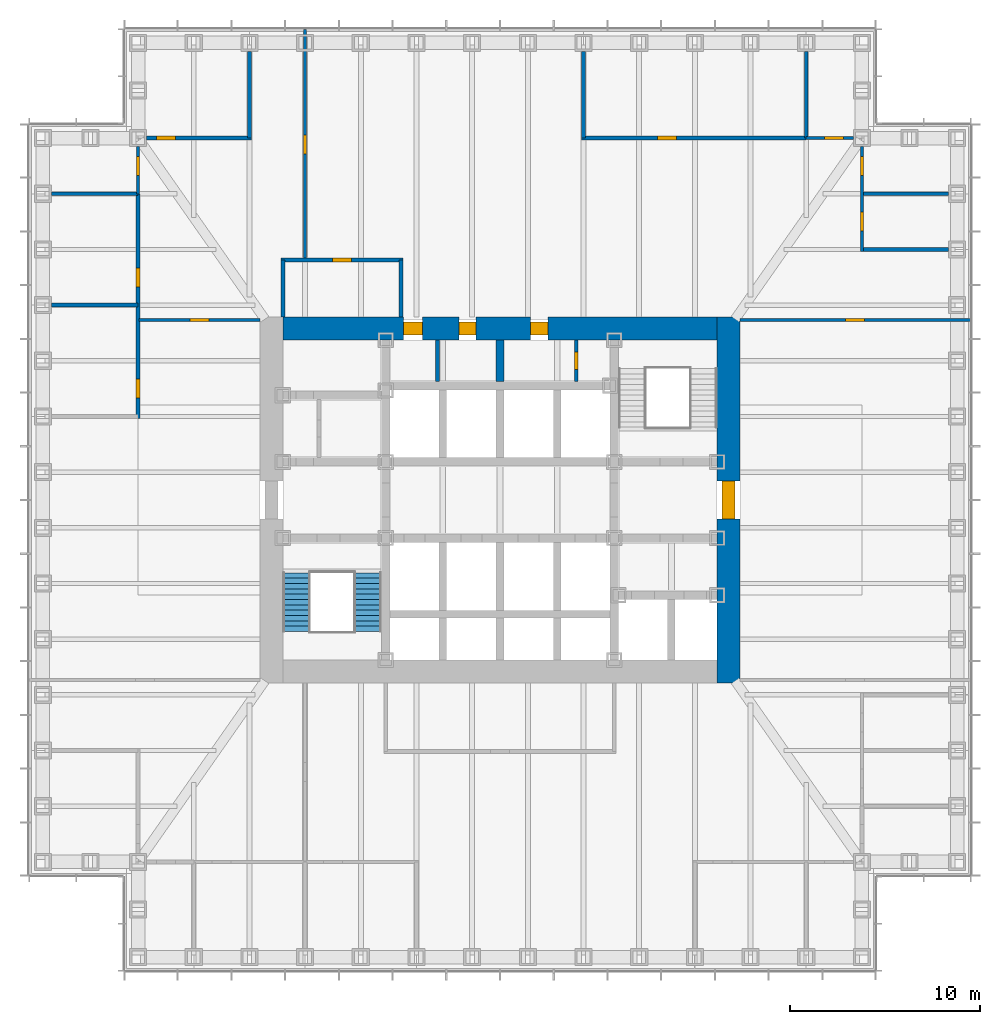
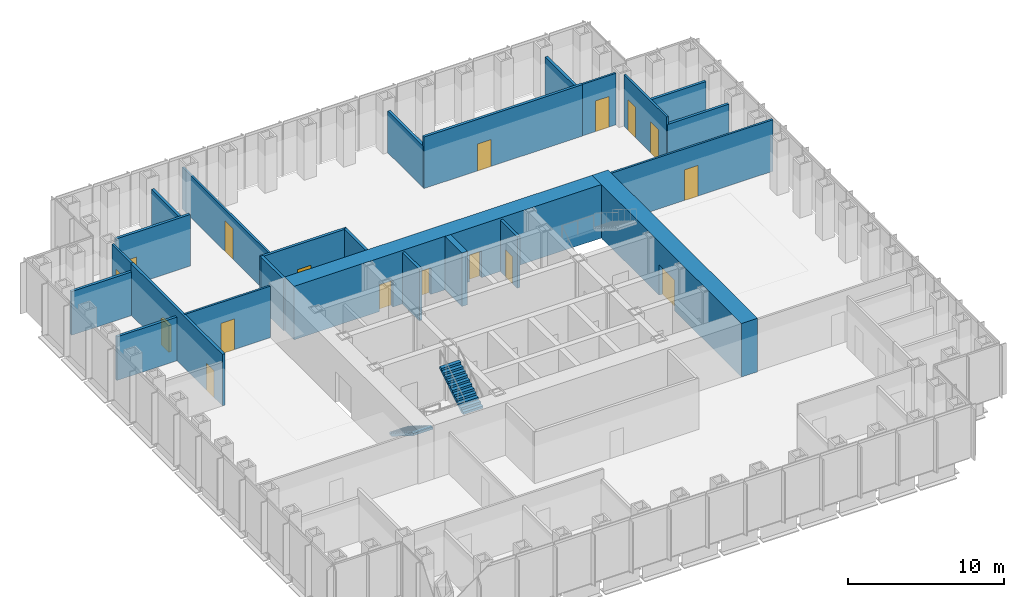
# One storey, part 10 of 17: 24 walls, 17 doors, 2 stair flights, 17 openings, 1 element without a shape of its own.
"""IFC4 building model written with IfcOpenShell, lengths in metres."""

from ifc_helpers import new_model, si_unit, direction, frame, frame_2d, origin, place, context, subcontext, project, spatial, polyline, rectangle, outline, extrude, material, layer, layer_set, type_object, element, fill, aggregate, save


model = new_model("IFC4")

# Units and contexts
model_context = context("Model", 3, precision=1e-05, world=origin(), true_north=direction((0.0, 1.0)))
body_context = subcontext(model_context, "Body", "Model", "MODEL_VIEW")
ifc_project = project(units=[si_unit("LENGTHUNIT", "METRE"), si_unit("AREAUNIT", "SQUARE_METRE"), si_unit("VOLUMEUNIT", "CUBIC_METRE"), si_unit("PLANEANGLEUNIT", "RADIAN"), si_unit("MASSUNIT", "GRAM", prefix="KILO")], contexts=[model_context])

# Site, building, storey
site_placement = place(None, origin())
site = spatial("IfcSite", under=ifc_project, at=site_placement, CompositionType="ELEMENT")
building_placement = place(site_placement, origin())
building = spatial("IfcBuilding", under=site, at=building_placement, Name="Daluyong Arena Tower", CompositionType="ELEMENT")
storey_placement = place(building_placement, frame((0.0, 0.0, 89.5)))
storey = spatial("IfcBuildingStorey", under=building, at=storey_placement, Name="L19", CompositionType="ELEMENT", Elevation=89.5)

# Wall, opening, door
ifc_material_1 = material(Name="Concrete fc' 60 MPa", Category="concrete")
ifc_layer_1 = layer(ifc_material_1, 1.199951171875)
ifc_layer_set_1 = layer_set([ifc_layer_1], Name="Concrete fc' 60 MPa")
wall_type_1 = type_object("IfcWallType", Name="Core wall 1200", PredefinedType="SHEAR", material=ifc_layer_set_1)
wall_1_placement = place(storey_placement, frame((68.0, 70.39990234375, 0.0), z_axis=(0.0, 0.0, 1.0), x_axis=(0.0, 1.0, 0.0)))
wall_1 = element("IfcWall", 1, at=wall_1_placement, inside=storey, type_object=wall_type_1, Name="core wall at L19", PredefinedType="SHEAR", context=body_context, shape_type="SweptSolid", body=[
    extrude(rectangle(XDim=19.2001953125, YDim=1.199951171875, at=frame_2d((9.60009765625, 0.0))), origin(), (0.0, 0.0, 1.0), 4.199951171875),
])
opening_1_placement = place(wall_1_placement, frame((8.60009765625, 0.0, 0.0)))
opening_1 = element("IfcOpeningElement", 2, at=opening_1_placement, cuts=wall_1, Name="Opening 19011", PredefinedType="OPENING", context=body_context, shape_type="SweptSolid", body=[
    extrude(rectangle(XDim=2.0, YDim=2.39990234375, at=frame_2d((1.0, 1.199951171875))), frame((0.0, 0.60986328125, 0.0), z_axis=(0.0, -1.0, 0.0), x_axis=(1.0, 0.0, 0.0)), (0.0, 0.0, 1.0), 1.219970703125),
])
ifc_material_2 = material(Name="Steel door, fire rated", Category="steel")
door_type_1 = type_object("IfcDoorType", Name="Core lobby double door 2000", OperationType="DOUBLE_DOOR_SINGLE_SWING", PredefinedType="DOOR", material=ifc_material_2)
door_1_placement = place(opening_1_placement, origin())
door_1 = element("IfcDoor", 3, at=door_1_placement, inside=storey, type_object=door_type_1, Name="core lobby door east 19011", OperationType="DOUBLE_DOOR_SINGLE_SWING", OverallHeight=2.39990234375, OverallWidth=2.0, PredefinedType="DOOR", context=body_context, shape_type="SweptSolid", body=[
    extrude(rectangle(XDim=2.0, YDim=2.39990234375, at=frame_2d((1.0, 1.199951171875))), frame((0.0, 0.35009765625, 0.0), z_axis=(0.0, -1.0, 0.0), x_axis=(1.0, 0.0, 0.0)), (0.0, 0.0, 1.0), 0.699951171875),
])
fill(opening_1, door_1)

# Wall, openings, doors
wall_2_placement = place(storey_placement, frame((44.60009765625, 89.0, 0.0), z_axis=(0.0, 0.0, 1.0), x_axis=(1.0, 0.0, 0.0)))
wall_2 = element("IfcWall", 4, at=wall_2_placement, inside=storey, type_object=wall_type_1, Name="core wall at L19", PredefinedType="SHEAR", context=body_context, shape_type="SweptSolid", body=[
    extrude(rectangle(XDim=22.7998046875, YDim=1.199951171875, at=frame_2d((11.39990234375, 0.0))), origin(), (0.0, 0.0, 1.0), 4.199951171875),
])
opening_2_placement = place(wall_2_placement, frame((6.324951171875, 0.0, 0.0)))
opening_2 = element("IfcOpeningElement", 5, at=opening_2_placement, cuts=wall_2, Name="Opening 19004", PredefinedType="OPENING", context=body_context, shape_type="SweptSolid", body=[
    extrude(rectangle(XDim=1.0, YDim=2.10009765625, at=frame_2d((0.5, 1.050048828125))), frame((0.0, 0.60986328125, 0.0), z_axis=(0.0, -1.0, 0.0), x_axis=(1.0, 0.0, 0.0)), (0.0, 0.0, 1.0), 1.219970703125),
])
opening_3_placement = place(wall_2_placement, frame((9.25, 0.0, 0.0)))
opening_3 = element("IfcOpeningElement", 6, at=opening_3_placement, cuts=wall_2, Name="Opening 19005", PredefinedType="OPENING", context=body_context, shape_type="SweptSolid", body=[
    extrude(rectangle(XDim=0.89990234375, YDim=2.10009765625, at=frame_2d((0.449951171875, 1.050048828125))), frame((0.0, 0.60986328125, 0.0), z_axis=(0.0, -1.0, 0.0), x_axis=(1.0, 0.0, 0.0)), (0.0, 0.0, 1.0), 1.219970703125),
])
opening_4_placement = place(wall_2_placement, frame((13.012451171875, 0.0, 0.0)))
opening_4 = element("IfcOpeningElement", 7, at=opening_4_placement, cuts=wall_2, Name="Opening 19006", PredefinedType="OPENING", context=body_context, shape_type="SweptSolid", body=[
    extrude(rectangle(XDim=0.89990234375, YDim=2.10009765625, at=frame_2d((0.449951171875, 1.050048828125))), frame((0.0, 0.60986328125, 0.0), z_axis=(0.0, -1.0, 0.0), x_axis=(1.0, 0.0, 0.0)), (0.0, 0.0, 1.0), 1.219970703125),
])
ifc_material_3 = material(Name="Timber door", Category="wood")
door_type_2 = type_object("IfcDoorType", Name="Accessible toilet door 1000", OperationType="SINGLE_SWING_LEFT", PredefinedType="DOOR", material=ifc_material_3)
door_2_placement = place(opening_2_placement, origin())
door_2 = element("IfcDoor", 8, at=door_2_placement, inside=storey, type_object=door_type_2, Name="accessible toilet door 19004", OperationType="SINGLE_SWING_LEFT", OverallHeight=2.10009765625, OverallWidth=1.0, PredefinedType="DOOR", context=body_context, shape_type="SweptSolid", body=[
    extrude(rectangle(XDim=1.0, YDim=2.10009765625, at=frame_2d((0.5, 1.050048828125))), frame((0.0, 0.35009765625, 0.0), z_axis=(0.0, -1.0, 0.0), x_axis=(1.0, 0.0, 0.0)), (0.0, 0.0, 1.0), 0.699951171875),
])
fill(opening_2, door_2)
ifc_material_4 = material(Name="Steel door, fire rated", Category="steel")
door_type_3 = type_object("IfcDoorType", Name="Core store door 900", OperationType="SINGLE_SWING_LEFT", PredefinedType="DOOR", material=ifc_material_4)
door_3_placement = place(opening_3_placement, origin())
door_3 = element("IfcDoor", 9, at=door_3_placement, inside=storey, type_object=door_type_3, Name="cleaner's store door 19005", OperationType="SINGLE_SWING_LEFT", OverallHeight=2.10009765625, OverallWidth=0.89990234375, PredefinedType="DOOR", context=body_context, shape_type="SweptSolid", body=[
    extrude(rectangle(XDim=0.89990234375, YDim=2.10009765625, at=frame_2d((0.449951171875, 1.050048828125))), frame((0.0, 0.35009765625, 0.0), z_axis=(0.0, -1.0, 0.0), x_axis=(1.0, 0.0, 0.0)), (0.0, 0.0, 1.0), 0.699951171875),
])
fill(opening_3, door_3)
door_4_placement = place(opening_4_placement, origin())
door_4 = element("IfcDoor", 10, at=door_4_placement, inside=storey, type_object=door_type_3, Name="furniture store door 19006", OperationType="SINGLE_SWING_LEFT", OverallHeight=2.10009765625, OverallWidth=0.89990234375, PredefinedType="DOOR", context=body_context, shape_type="SweptSolid", body=[
    extrude(rectangle(XDim=0.89990234375, YDim=2.10009765625, at=frame_2d((0.449951171875, 1.050048828125))), frame((0.0, 0.35009765625, 0.0), z_axis=(0.0, -1.0, 0.0), x_axis=(1.0, 0.0, 0.0)), (0.0, 0.0, 1.0), 0.699951171875),
])
fill(opening_4, door_4)

# Wall
ifc_material_5 = material(Name="Concrete block partition, fire rated", Category="concrete")
ifc_layer_2 = layer(ifc_material_5, 0.199951171875)
ifc_layer_set_2 = layer_set([ifc_layer_2], Name="Concrete block partition, fire rated")
wall_type_2 = type_object("IfcWallType", Name="Fire-rated partition 200", PredefinedType="PARTITIONING", material=ifc_layer_set_2)
wall_3_placement = place(storey_placement, frame((52.72509765625, 86.22509765625, 0.0), z_axis=(0.0, 0.0, 1.0), x_axis=(0.0, 1.0, 0.0)))
element("IfcWall", 11, at=wall_3_placement, inside=storey, type_object=wall_type_2, Name="core room partition at L19", PredefinedType="PARTITIONING", context=body_context, shape_type="SweptSolid", body=[
    extrude(rectangle(XDim=2.1748046875, YDim=0.199951171875, at=frame_2d((1.08740234375, 0.0))), origin(), (0.0, 0.0, 1.0), 4.0400390625),
])

# Wall, opening, door
wall_4_placement = place(storey_placement, frame((60.0, 86.22509765625, 0.0), z_axis=(0.0, 0.0, 1.0), x_axis=(0.0, 1.0, 0.0)))
wall_4 = element("IfcWall", 12, at=wall_4_placement, inside=storey, type_object=wall_type_2, Name="electrical riser enclosure at L19", PredefinedType="PARTITIONING", context=body_context, shape_type="SweptSolid", body=[
    extrude(rectangle(XDim=2.1748046875, YDim=0.199951171875, at=frame_2d((1.08740234375, 0.0))), origin(), (0.0, 0.0, 1.0), 4.0400390625),
])
opening_5_placement = place(wall_4_placement, frame((0.637451171875, 0.0, 0.0)))
opening_5 = element("IfcOpeningElement", 13, at=opening_5_placement, cuts=wall_4, Name="Opening 19007", PredefinedType="OPENING", context=body_context, shape_type="SweptSolid", body=[
    extrude(rectangle(XDim=0.89990234375, YDim=2.10009765625, at=frame_2d((0.449951171875, 1.050048828125))), frame((0.0, 0.10986328125, 0.0), z_axis=(0.0, -1.0, 0.0), x_axis=(1.0, 0.0, 0.0)), (0.0, 0.0, 1.0), 0.219970703125),
])
ifc_material_6 = material(Name="Steel door, fire rated", Category="steel")
door_type_4 = type_object("IfcDoorType", Name="Riser door 900", OperationType="SINGLE_SWING_LEFT", PredefinedType="DOOR", material=ifc_material_6)
door_5_placement = place(opening_5_placement, origin())
door_5 = element("IfcDoor", 14, at=door_5_placement, inside=storey, type_object=door_type_4, Name="riser door 19007", OperationType="SINGLE_SWING_LEFT", OverallHeight=2.10009765625, OverallWidth=0.89990234375, PredefinedType="DOOR", context=body_context, shape_type="SweptSolid", body=[
    extrude(rectangle(XDim=0.89990234375, YDim=2.10009765625, at=frame_2d((0.449951171875, 1.050048828125))), frame((0.0, 0.099609375, 0.0), z_axis=(0.0, -1.0, 0.0), x_axis=(1.0, 0.0, 0.0)), (0.0, 0.0, 1.0), 0.199462890625),
])
fill(opening_5, door_5)

ifc_material_7 = material(Name="Glazed aluminium partition", Category="aluminium")
ifc_layer_3 = layer(ifc_material_7, 0.14990234375)
ifc_layer_set_3 = layer_set([ifc_layer_3], Name="Glazed aluminium partition")
wall_type_3 = type_object("IfcWallType", Name="Glazed partition 150", PredefinedType="PARTITIONING", material=ifc_layer_set_3)
wall_5_placement = place(storey_placement, frame((37.050048828125, 89.449951171875, 0.0), z_axis=(0.0, 0.0, 1.0), x_axis=(1.0, 0.0, 0.0)))
wall_5 = element("IfcWall", 15, at=wall_5_placement, inside=storey, type_object=wall_type_3, Name="glazed partition at L19", PredefinedType="PARTITIONING", context=body_context, shape_type="SweptSolid", body=[
    extrude(rectangle(XDim=6.349853515625, YDim=0.14990234375, at=frame_2d((3.1748046875, 0.0))), origin(), (0.0, 0.0, 1.0), 4.0400390625),
])
opening_6_placement = place(wall_5_placement, frame((2.675048828125, 0.0, 0.0)))
opening_6 = element("IfcOpeningElement", 16, at=opening_6_placement, cuts=wall_5, Name="Opening 19041", PredefinedType="OPENING", context=body_context, shape_type="SweptSolid", body=[
    extrude(rectangle(XDim=1.0, YDim=2.39990234375, at=frame_2d((0.5, 1.199951171875))), frame((0.0, 0.0849609375, 0.0), z_axis=(0.0, -1.0, 0.0), x_axis=(1.0, 0.0, 0.0)), (0.0, 0.0, 1.0), 0.169921875),
])
ifc_material_8 = material(Name="Glazed aluminium door", Category="aluminium")
door_type_5 = type_object("IfcDoorType", Name="Meeting room glazed door 1000", OperationType="SINGLE_SWING_RIGHT", PredefinedType="DOOR", material=ifc_material_8)
door_6_placement = place(opening_6_placement, origin())
door_6 = element("IfcDoor", 17, at=door_6_placement, inside=storey, type_object=door_type_5, Name="team area screen door 19041", OperationType="SINGLE_SWING_RIGHT", OverallHeight=2.39990234375, OverallWidth=1.0, PredefinedType="DOOR", context=body_context, shape_type="SweptSolid", body=[
    extrude(rectangle(XDim=1.0, YDim=2.39990234375, at=frame_2d((0.5, 1.199951171875))), frame((0.0, 0.07470703125, 0.0), z_axis=(0.0, -1.0, 0.0), x_axis=(1.0, 0.0, 0.0)), (0.0, 0.0, 1.0), 0.1494140625),
])
fill(opening_6, door_6)

wall_6_placement = place(storey_placement, frame((68.60009765625, 89.449951171875, 0.0), z_axis=(0.0, 0.0, 1.0), x_axis=(1.0, 0.0, 0.0)))
wall_6 = element("IfcWall", 18, at=wall_6_placement, inside=storey, type_object=wall_type_3, Name="glazed partition at L19", PredefinedType="PARTITIONING", context=body_context, shape_type="SweptSolid", body=[
    extrude(rectangle(XDim=12.08984375, YDim=0.14990234375, at=frame_2d((6.044921875, 0.0))), origin(), (0.0, 0.0, 1.0), 4.0400390625),
])
opening_7_placement = place(wall_6_placement, frame((5.544921875, 0.0, 0.0)))
opening_7 = element("IfcOpeningElement", 19, at=opening_7_placement, cuts=wall_6, Name="Opening 19043", PredefinedType="OPENING", context=body_context, shape_type="SweptSolid", body=[
    extrude(rectangle(XDim=1.0, YDim=2.39990234375, at=frame_2d((0.5, 1.199951171875))), frame((0.0, 0.0849609375, 0.0), z_axis=(0.0, -1.0, 0.0), x_axis=(1.0, 0.0, 0.0)), (0.0, 0.0, 1.0), 0.169921875),
])
door_7_placement = place(opening_7_placement, origin())
door_7 = element("IfcDoor", 20, at=door_7_placement, inside=storey, type_object=door_type_5, Name="team area screen door 19043", OperationType="SINGLE_SWING_RIGHT", OverallHeight=2.39990234375, OverallWidth=1.0, PredefinedType="DOOR", context=body_context, shape_type="SweptSolid", body=[
    extrude(rectangle(XDim=1.0, YDim=2.39990234375, at=frame_2d((0.5, 1.199951171875))), frame((0.0, 0.07470703125, 0.0), z_axis=(0.0, -1.0, 0.0), x_axis=(1.0, 0.0, 0.0)), (0.0, 0.0, 1.0), 0.1494140625),
])
fill(opening_7, door_7)

wall_7_placement = place(storey_placement, frame((72.076904296875, 99.0, 0.0), z_axis=(0.0, 0.0, 1.0), x_axis=(1.0, 0.0, 0.0)))
wall_7 = element("IfcWall", 21, at=wall_7_placement, inside=storey, type_object=wall_type_3, Name="glazed partition at L19", PredefinedType="PARTITIONING", context=body_context, shape_type="SweptSolid", body=[
    extrude(rectangle(XDim=2.47314453125, YDim=0.14990234375, at=frame_2d((1.236572265625, 0.0))), origin(), (0.0, 0.0, 1.0), 4.0400390625),
])
opening_8_placement = place(wall_7_placement, frame((0.96142578125, 0.0, 0.0)))
opening_8 = element("IfcOpeningElement", 22, at=opening_8_placement, cuts=wall_7, Name="Opening 19033", PredefinedType="OPENING", context=body_context, shape_type="SweptSolid", body=[
    extrude(rectangle(XDim=1.0, YDim=2.39990234375, at=frame_2d((0.5, 1.199951171875))), frame((0.0, 0.0849609375, 0.0), z_axis=(0.0, -1.0, 0.0), x_axis=(1.0, 0.0, 0.0)), (0.0, 0.0, 1.0), 0.169921875),
])
door_8_placement = place(opening_8_placement, origin())
door_8 = element("IfcDoor", 23, at=door_8_placement, inside=storey, type_object=door_type_5, Name="meeting room door 19033", OperationType="SINGLE_SWING_RIGHT", OverallHeight=2.39990234375, OverallWidth=1.0, PredefinedType="DOOR", context=body_context, shape_type="SweptSolid", body=[
    extrude(rectangle(XDim=1.0, YDim=2.39990234375, at=frame_2d((0.5, 1.199951171875))), frame((0.0, 0.07470703125, 0.0), z_axis=(0.0, -1.0, 0.0), x_axis=(1.0, 0.0, 0.0)), (0.0, 0.0, 1.0), 0.1494140625),
])
fill(opening_8, door_8)

wall_8_placement = place(storey_placement, frame((37.0, 96.076904296875, 0.0), z_axis=(0.0, 0.0, 1.0), x_axis=(0.0, 1.0, 0.0)))
wall_8 = element("IfcWall", 24, at=wall_8_placement, inside=storey, type_object=wall_type_3, Name="glazed partition at L19", PredefinedType="PARTITIONING", context=body_context, shape_type="SweptSolid", body=[
    extrude(rectangle(XDim=2.47314453125, YDim=0.14990234375, at=frame_2d((1.236572265625, 0.0))), origin(), (0.0, 0.0, 1.0), 4.0400390625),
])
opening_9_placement = place(wall_8_placement, frame((0.96142578125, 0.0, 0.0)))
opening_9 = element("IfcOpeningElement", 25, at=opening_9_placement, cuts=wall_8, Name="Opening 19037", PredefinedType="OPENING", context=body_context, shape_type="SweptSolid", body=[
    extrude(rectangle(XDim=1.0, YDim=2.39990234375, at=frame_2d((0.5, 1.199951171875))), frame((0.0, 0.0849609375, 0.0), z_axis=(0.0, -1.0, 0.0), x_axis=(1.0, 0.0, 0.0)), (0.0, 0.0, 1.0), 0.169921875),
])
door_9_placement = place(opening_9_placement, origin())
door_9 = element("IfcDoor", 26, at=door_9_placement, inside=storey, type_object=door_type_5, Name="focus room door 19037", OperationType="SINGLE_SWING_RIGHT", OverallHeight=2.39990234375, OverallWidth=1.0, PredefinedType="DOOR", context=body_context, shape_type="SweptSolid", body=[
    extrude(rectangle(XDim=1.0, YDim=2.39990234375, at=frame_2d((0.5, 1.199951171875))), frame((0.0, 0.07470703125, 0.0), z_axis=(0.0, -1.0, 0.0), x_axis=(1.0, 0.0, 0.0)), (0.0, 0.0, 1.0), 0.1494140625),
])
fill(opening_9, door_9)

wall_9_placement = place(storey_placement, frame((45.769287109375, 92.64990234375, 0.0), z_axis=(0.0, 0.0, 1.0), x_axis=(0.0, 1.0, 0.0)))
wall_9 = element("IfcWall", 27, at=wall_9_placement, inside=storey, type_object=wall_type_3, Name="glazed partition at L19", PredefinedType="PARTITIONING", context=body_context, shape_type="SweptSolid", body=[
    extrude(rectangle(XDim=12.0400390625, YDim=0.14990234375, at=frame_2d((6.02001953125, 0.0))), origin(), (0.0, 0.0, 1.0), 3.278076171875),
])
opening_10_placement = place(wall_9_placement, frame((5.52001953125, 0.0, 0.0)))
opening_10 = element("IfcOpeningElement", 28, at=opening_10_placement, cuts=wall_9, Name="Opening 19045", PredefinedType="OPENING", context=body_context, shape_type="SweptSolid", body=[
    extrude(rectangle(XDim=1.0, YDim=2.39990234375, at=frame_2d((0.5, 1.199951171875))), frame((0.0, 0.0849609375, 0.0), z_axis=(0.0, -1.0, 0.0), x_axis=(1.0, 0.0, 0.0)), (0.0, 0.0, 1.0), 0.169921875),
])
door_10_placement = place(opening_10_placement, origin())
door_10 = element("IfcDoor", 29, at=door_10_placement, inside=storey, type_object=door_type_5, Name="team area screen door 19045", OperationType="SINGLE_SWING_RIGHT", OverallHeight=2.39990234375, OverallWidth=1.0, PredefinedType="DOOR", context=body_context, shape_type="SweptSolid", body=[
    extrude(rectangle(XDim=1.0, YDim=2.39990234375, at=frame_2d((0.5, 1.199951171875))), frame((0.0, 0.07470703125, 0.0), z_axis=(0.0, -1.0, 0.0), x_axis=(1.0, 0.0, 0.0)), (0.0, 0.0, 1.0), 0.1494140625),
])
fill(opening_10, door_10)

# Wall, openings, doors
wall_10_placement = place(storey_placement, frame((75.0, 93.053955078125, 0.0), z_axis=(0.0, 0.0, 1.0), x_axis=(0.0, 1.0, 0.0)))
wall_10 = element("IfcWall", 30, at=wall_10_placement, inside=storey, type_object=wall_type_3, Name="glazed partition at L19", PredefinedType="PARTITIONING", context=body_context, shape_type="SweptSolid", body=[
    extrude(rectangle(XDim=5.49609375, YDim=0.14990234375, at=frame_2d((2.748046875, 0.0))), origin(), (0.0, 0.0, 1.0), 4.0400390625),
])
opening_11_placement = place(wall_10_placement, frame((1.0615234375, 0.0, 0.0)))
opening_11 = element("IfcOpeningElement", 31, at=opening_11_placement, cuts=wall_10, Name="Opening 19029", PredefinedType="OPENING", context=body_context, shape_type="SweptSolid", body=[
    extrude(rectangle(XDim=1.0, YDim=2.39990234375, at=frame_2d((0.5, 1.199951171875))), frame((0.0, 0.0849609375, 0.0), z_axis=(0.0, -1.0, 0.0), x_axis=(1.0, 0.0, 0.0)), (0.0, 0.0, 1.0), 0.169921875),
])
opening_12_placement = place(wall_10_placement, frame((3.984619140625, 0.0, 0.0)))
opening_12 = element("IfcOpeningElement", 32, at=opening_12_placement, cuts=wall_10, Name="Opening 19030", PredefinedType="OPENING", context=body_context, shape_type="SweptSolid", body=[
    extrude(rectangle(XDim=1.0, YDim=2.39990234375, at=frame_2d((0.5, 1.199951171875))), frame((0.0, 0.0849609375, 0.0), z_axis=(0.0, -1.0, 0.0), x_axis=(1.0, 0.0, 0.0)), (0.0, 0.0, 1.0), 0.169921875),
])
door_11_placement = place(opening_11_placement, origin())
door_11 = element("IfcDoor", 33, at=door_11_placement, inside=storey, type_object=door_type_5, Name="focus room door 19029", OperationType="SINGLE_SWING_RIGHT", OverallHeight=2.39990234375, OverallWidth=1.0, PredefinedType="DOOR", context=body_context, shape_type="SweptSolid", body=[
    extrude(rectangle(XDim=1.0, YDim=2.39990234375, at=frame_2d((0.5, 1.199951171875))), frame((0.0, 0.07470703125, 0.0), z_axis=(0.0, -1.0, 0.0), x_axis=(1.0, 0.0, 0.0)), (0.0, 0.0, 1.0), 0.1494140625),
])
fill(opening_11, door_11)
door_12_placement = place(opening_12_placement, origin())
door_12 = element("IfcDoor", 34, at=door_12_placement, inside=storey, type_object=door_type_5, Name="focus room door 19030", OperationType="SINGLE_SWING_RIGHT", OverallHeight=2.39990234375, OverallWidth=1.0, PredefinedType="DOOR", context=body_context, shape_type="SweptSolid", body=[
    extrude(rectangle(XDim=1.0, YDim=2.39990234375, at=frame_2d((0.5, 1.199951171875))), frame((0.0, 0.07470703125, 0.0), z_axis=(0.0, -1.0, 0.0), x_axis=(1.0, 0.0, 0.0)), (0.0, 0.0, 1.0), 0.1494140625),
])
fill(opening_12, door_12)

# Walls
ifc_material_9 = material(Name="Concrete fc' 45 MPa", Category="concrete")
ifc_layer_4 = layer(ifc_material_9, 0.39990234375)
ifc_layer_set_4 = layer_set([ifc_layer_4], Name="Concrete fc' 45 MPa")
wall_type_4 = type_object("IfcWallType", Name="Lift shaft wall 400", PredefinedType="SHEAR", material=ifc_layer_set_4)
wall_11_placement = place(storey_placement, frame((56.0, 86.22509765625, 0.0), z_axis=(0.0, 0.0, 1.0), x_axis=(0.0, 1.0, 0.0)))
element("IfcWall", 35, at=wall_11_placement, inside=storey, type_object=wall_type_4, Name="lift shaft wall at L19", PredefinedType="SHEAR", context=body_context, shape_type="SweptSolid", body=[
    extrude(rectangle(XDim=2.1748046875, YDim=0.39990234375, at=frame_2d((1.08740234375, 0.0))), origin(), (0.0, 0.0, 1.0), 4.199951171875),
])
ifc_material_10 = material(Name="Concrete block partition", Category="concrete")
ifc_layer_5 = layer(ifc_material_10, 0.199951171875)
ifc_layer_set_5 = layer_set([ifc_layer_5], Name="Concrete block partition")
wall_type_5 = type_object("IfcWallType", Name="Partition 200", PredefinedType="PARTITIONING", material=ifc_layer_set_5)
for number, where, z_axis, x_axis, name in (
    (36, (75.0, 93.15380859375, 0.0), (0.0, 0.0, 1.0), (1.0, 0.0, 0.0), "partition at L19"),
    (37, (75.0, 96.076904296875, 0.0), (0.0, 0.0, 1.0), (1.0, 0.0, 0.0), "partition at L19"),
):
    element("IfcWall", number, at=place(storey_placement, frame(where, z_axis=z_axis, x_axis=x_axis)), inside=storey, type_object=wall_type_5, Name=name, PredefinedType="PARTITIONING", context=body_context, shape_type="SweptSolid", body=[
        extrude(rectangle(XDim=4.550048828125, YDim=0.199951171875, at=frame_2d((2.27490234375, 0.0))), origin(), (0.0, 0.0, 1.0), 3.427978515625),
    ])
for number, where, z_axis, x_axis, name in (
    (38, (42.84619140625, 99.0, 0.0), (0.0, 0.0, 1.0), (0.0, 1.0, 0.0), "partition at L19"),
    (39, (60.384521484375, 99.0, 0.0), (0.0, 0.0, 1.0), (0.0, 1.0, 0.0), "partition at L19"),
):
    element("IfcWall", number, at=place(storey_placement, frame(where, z_axis=z_axis, x_axis=x_axis)), inside=storey, type_object=wall_type_5, Name=name, PredefinedType="PARTITIONING", context=body_context, shape_type="SweptSolid", body=[
        extrude(rectangle(XDim=4.550048828125, YDim=0.199951171875, at=frame_2d((2.27490234375, 0.0))), origin(), (0.0, 0.0, 1.0), 3.278076171875),
    ])
for number, where, z_axis, x_axis, name in (
    (40, (72.076904296875, 99.0, 0.0), (0.0, 0.0, 1.0), (0.0, 1.0, 0.0), "partition at L19"),
    (41, (32.449951171875, 90.230712890625, 0.0), (0.0, 0.0, 1.0), (1.0, 0.0, 0.0), "partition at L19"),
    (42, (32.449951171875, 96.076904296875, 0.0), (0.0, 0.0, 1.0), (1.0, 0.0, 0.0), "partition at L19"),
):
    element("IfcWall", number, at=place(storey_placement, frame(where, z_axis=z_axis, x_axis=x_axis)), inside=storey, type_object=wall_type_5, Name=name, PredefinedType="PARTITIONING", context=body_context, shape_type="SweptSolid", body=[
        extrude(rectangle(XDim=4.550048828125, YDim=0.199951171875, at=frame_2d((2.27490234375, 0.0))), origin(), (0.0, 0.0, 1.0), 3.427978515625),
    ])
for number, where, z_axis, x_axis, name in (
    (43, (44.60009765625, 89.60009765625, 0.0), (0.0, 0.0, 1.0), (0.0, 1.0, 0.0), "partition at L19"),
    (44, (50.800048828125, 89.60009765625, 0.0), (0.0, 0.0, 1.0), (0.0, 1.0, 0.0), "partition at L19"),
):
    element("IfcWall", number, at=place(storey_placement, frame(where, z_axis=z_axis, x_axis=x_axis)), inside=storey, type_object=wall_type_5, Name=name, PredefinedType="PARTITIONING", context=body_context, shape_type="SweptSolid", body=[
        extrude(rectangle(XDim=3.0, YDim=0.199951171875, at=frame_2d((1.5, 0.0))), origin(), (0.0, 0.0, 1.0), 4.0400390625),
    ])

# Wall, opening, door
wall_12_placement = place(storey_placement, frame((44.5, 92.60009765625, 0.0), z_axis=(0.0, 0.0, 1.0), x_axis=(1.0, 0.0, 0.0)))
wall_12 = element("IfcWall", 45, at=wall_12_placement, inside=storey, type_object=wall_type_5, Name="partition at L19", PredefinedType="PARTITIONING", context=body_context, shape_type="SweptSolid", body=[
    extrude(rectangle(XDim=6.39990234375, YDim=0.199951171875, at=frame_2d((3.199951171875, 0.0))), origin(), (0.0, 0.0, 1.0), 4.0400390625),
])
opening_13_placement = place(wall_12_placement, frame((2.699951171875, 0.0, 0.0)))
opening_13 = element("IfcOpeningElement", 46, at=opening_13_placement, cuts=wall_12, Name="Opening 19039", PredefinedType="OPENING", context=body_context, shape_type="SweptSolid", body=[
    extrude(rectangle(XDim=1.0, YDim=2.10009765625, at=frame_2d((0.5, 1.050048828125))), frame((0.0, 0.10986328125, 0.0), z_axis=(0.0, -1.0, 0.0), x_axis=(1.0, 0.0, 0.0)), (0.0, 0.0, 1.0), 0.219970703125),
])
ifc_material_11 = material(Name="Timber door", Category="wood")
door_type_6 = type_object("IfcDoorType", Name="Room door 1000", OperationType="SINGLE_SWING_LEFT", PredefinedType="DOOR", material=ifc_material_11)
door_13_placement = place(opening_13_placement, origin())
door_13 = element("IfcDoor", 47, at=door_13_placement, inside=storey, type_object=door_type_6, Name="comms room door 19039", OperationType="SINGLE_SWING_LEFT", OverallHeight=2.10009765625, OverallWidth=1.0, PredefinedType="DOOR", context=body_context, shape_type="SweptSolid", body=[
    extrude(rectangle(XDim=1.0, YDim=2.10009765625, at=frame_2d((0.5, 1.050048828125))), frame((0.0, 0.099609375, 0.0), z_axis=(0.0, -1.0, 0.0), x_axis=(1.0, 0.0, 0.0)), (0.0, 0.0, 1.0), 0.199462890625),
])
fill(opening_13, door_13)

wall_13_placement = place(storey_placement, frame((37.449951171875, 99.0, 0.0), z_axis=(0.0, 0.0, 1.0), x_axis=(1.0, 0.0, 0.0)))
wall_13 = element("IfcWall", 48, at=wall_13_placement, inside=storey, type_object=wall_type_5, Name="partition at L19", PredefinedType="PARTITIONING", context=body_context, shape_type="SweptSolid", body=[
    extrude(rectangle(XDim=5.49609375, YDim=0.199951171875, at=frame_2d((2.748046875, 0.0))), origin(), (0.0, 0.0, 1.0), 4.0400390625),
])
opening_14_placement = place(wall_13_placement, frame((0.511474609375, 0.0, 0.0)))
opening_14 = element("IfcOpeningElement", 49, at=opening_14_placement, cuts=wall_13, Name="Opening 19031", PredefinedType="OPENING", context=body_context, shape_type="SweptSolid", body=[
    extrude(rectangle(XDim=1.0, YDim=2.10009765625, at=frame_2d((0.5, 1.050048828125))), frame((0.0, 0.10986328125, 0.0), z_axis=(0.0, -1.0, 0.0), x_axis=(1.0, 0.0, 0.0)), (0.0, 0.0, 1.0), 0.219970703125),
])
door_14_placement = place(opening_14_placement, origin())
door_14 = element("IfcDoor", 50, at=door_14_placement, inside=storey, type_object=door_type_6, Name="wellness room door 19031", OperationType="SINGLE_SWING_LEFT", OverallHeight=2.10009765625, OverallWidth=1.0, PredefinedType="DOOR", context=body_context, shape_type="SweptSolid", body=[
    extrude(rectangle(XDim=1.0, YDim=2.10009765625, at=frame_2d((0.5, 1.050048828125))), frame((0.0, 0.099609375, 0.0), z_axis=(0.0, -1.0, 0.0), x_axis=(1.0, 0.0, 0.0)), (0.0, 0.0, 1.0), 0.199462890625),
])
fill(opening_14, door_14)

wall_14_placement = place(storey_placement, frame((60.28466796875, 99.0, 0.0), z_axis=(0.0, 0.0, 1.0), x_axis=(1.0, 0.0, 0.0)))
wall_14 = element("IfcWall", 51, at=wall_14_placement, inside=storey, type_object=wall_type_5, Name="partition at L19", PredefinedType="PARTITIONING", context=body_context, shape_type="SweptSolid", body=[
    extrude(rectangle(XDim=11.792236328125, YDim=0.199951171875, at=frame_2d((5.89599609375, 0.0))), origin(), (0.0, 0.0, 1.0), 4.0400390625),
])
opening_15_placement = place(wall_14_placement, frame((3.984619140625, 0.0, 0.0)))
opening_15 = element("IfcOpeningElement", 52, at=opening_15_placement, cuts=wall_14, Name="Opening 19032", PredefinedType="OPENING", context=body_context, shape_type="SweptSolid", body=[
    extrude(rectangle(XDim=1.0, YDim=2.10009765625, at=frame_2d((0.5, 1.050048828125))), frame((0.0, 0.10986328125, 0.0), z_axis=(0.0, -1.0, 0.0), x_axis=(1.0, 0.0, 0.0)), (0.0, 0.0, 1.0), 0.219970703125),
])
door_15_placement = place(opening_15_placement, origin())
door_15 = element("IfcDoor", 53, at=door_15_placement, inside=storey, type_object=door_type_6, Name="training room door 19032", OperationType="SINGLE_SWING_LEFT", OverallHeight=2.10009765625, OverallWidth=1.0, PredefinedType="DOOR", context=body_context, shape_type="SweptSolid", body=[
    extrude(rectangle(XDim=1.0, YDim=2.10009765625, at=frame_2d((0.5, 1.050048828125))), frame((0.0, 0.099609375, 0.0), z_axis=(0.0, -1.0, 0.0), x_axis=(1.0, 0.0, 0.0)), (0.0, 0.0, 1.0), 0.199462890625),
])
fill(opening_15, door_15)

# Wall, openings, doors
wall_15_placement = place(storey_placement, frame((37.0, 84.28466796875, 0.0), z_axis=(0.0, 0.0, 1.0), x_axis=(0.0, 1.0, 0.0)))
wall_15 = element("IfcWall", 54, at=wall_15_placement, inside=storey, type_object=wall_type_5, Name="partition at L19", PredefinedType="PARTITIONING", context=body_context, shape_type="SweptSolid", body=[
    extrude(rectangle(XDim=11.792236328125, YDim=0.199951171875, at=frame_2d((5.89599609375, 0.0))), origin(), (0.0, 0.0, 1.0), 4.0400390625),
])
opening_16_placement = place(wall_15_placement, frame((1.0615234375, 0.0, 0.0)))
opening_16 = element("IfcOpeningElement", 55, at=opening_16_placement, cuts=wall_15, Name="Opening 19035", PredefinedType="OPENING", context=body_context, shape_type="SweptSolid", body=[
    extrude(rectangle(XDim=1.0, YDim=2.10009765625, at=frame_2d((0.5, 1.050048828125))), frame((0.0, 0.10986328125, 0.0), z_axis=(0.0, -1.0, 0.0), x_axis=(1.0, 0.0, 0.0)), (0.0, 0.0, 1.0), 0.219970703125),
])
opening_17_placement = place(wall_15_placement, frame((6.90771484375, 0.0, 0.0)))
opening_17 = element("IfcOpeningElement", 56, at=opening_17_placement, cuts=wall_15, Name="Opening 19036", PredefinedType="OPENING", context=body_context, shape_type="SweptSolid", body=[
    extrude(rectangle(XDim=1.0, YDim=2.10009765625, at=frame_2d((0.5, 1.050048828125))), frame((0.0, 0.10986328125, 0.0), z_axis=(0.0, -1.0, 0.0), x_axis=(1.0, 0.0, 0.0)), (0.0, 0.0, 1.0), 0.219970703125),
])
door_16_placement = place(opening_16_placement, origin())
door_16 = element("IfcDoor", 57, at=door_16_placement, inside=storey, type_object=door_type_6, Name="project room door 19035", OperationType="SINGLE_SWING_LEFT", OverallHeight=2.10009765625, OverallWidth=1.0, PredefinedType="DOOR", context=body_context, shape_type="SweptSolid", body=[
    extrude(rectangle(XDim=1.0, YDim=2.10009765625, at=frame_2d((0.5, 1.050048828125))), frame((0.0, 0.099609375, 0.0), z_axis=(0.0, -1.0, 0.0), x_axis=(1.0, 0.0, 0.0)), (0.0, 0.0, 1.0), 0.199462890625),
])
fill(opening_16, door_16)
door_17_placement = place(opening_17_placement, origin())
door_17 = element("IfcDoor", 58, at=door_17_placement, inside=storey, type_object=door_type_6, Name="project room door 19036", OperationType="SINGLE_SWING_LEFT", OverallHeight=2.10009765625, OverallWidth=1.0, PredefinedType="DOOR", context=body_context, shape_type="SweptSolid", body=[
    extrude(rectangle(XDim=1.0, YDim=2.10009765625, at=frame_2d((0.5, 1.050048828125))), frame((0.0, 0.099609375, 0.0), z_axis=(0.0, -1.0, 0.0), x_axis=(1.0, 0.0, 0.0)), (0.0, 0.0, 1.0), 0.199462890625),
])
fill(opening_17, door_17)

# Stair, stair flights
ifc_material_12 = material(Name="Concrete fc' 35 MPa", Category="concrete")
stair_type = type_object("IfcStairType", Name="Core exit stair", PredefinedType="HALF_TURN_STAIR", material=ifc_material_12)
stair_placement = place(storey_placement, origin())
stair = element("IfcStair", 59, at=stair_placement, inside=storey, type_object=stair_type, Name="exit stair A L19", PredefinedType="HALF_TURN_STAIR")
ifc_material_13 = material(Name="Concrete fc' 35 MPa", Category="concrete")
stair_flight_type = type_object("IfcStairFlightType", Name="Core stair flight", PredefinedType="STRAIGHT", material=ifc_material_13)
stair_flight_1_placement = place(storey_placement, frame((45.324951171875, 76.175048828125, 0.0), z_axis=(0.0, 0.0, 1.0), x_axis=(0.0, -1.0, 0.0)))
stair_flight_1 = element("IfcStairFlight", 60, at=stair_flight_1_placement, type_object=stair_flight_type, Name="STA flight 1", NumberOfRisers=12, NumberOfTreads=11, PredefinedType="STRAIGHT", RiserHeight=0.175, TreadLength=0.28, context=body_context, shape_type="SweptSolid", body=[
    extrude(outline(polyline([(0.0, 0.0), (0.0, 0.175048828125), (0.280029296875, 0.175048828125), (0.280029296875, 0.35009765625), (0.56005859375, 0.35009765625), (0.56005859375, 0.52490234375), (0.840087890625, 0.52490234375), (0.840087890625, 0.699951171875), (1.1201171875, 0.699951171875), (1.1201171875, 0.875), (1.39990234375, 0.875), (1.39990234375, 1.050048828125), (1.679931640625, 1.050048828125), (1.679931640625, 1.22509765625), (1.9599609375, 1.22509765625), (1.9599609375, 1.39990234375), (2.239990234375, 1.39990234375), (2.239990234375, 1.574951171875), (2.52001953125, 1.574951171875), (2.52001953125, 1.75), (2.800048828125, 1.75), (2.800048828125, 1.925048828125), (3.080078125, 1.925048828125), (3.080078125, 2.10009765625), (3.080078125, 1.748291015625), (0.28271484375, 0.0), (0.0, 0.0)])), frame((0.0, 0.72509765625, 0.0), z_axis=(0.0, -1.0, 0.0), x_axis=(1.0, 0.0, 0.0)), (0.0, 0.0, 1.0), 1.449951171875),
])
stair_flight_2_placement = place(storey_placement, frame((49.050048828125, 73.094970703125, 2.10009765625), z_axis=(0.0, 0.0, 1.0), x_axis=(0.0, 1.0, 0.0)))
stair_flight_2 = element("IfcStairFlight", 61, at=stair_flight_2_placement, type_object=stair_flight_type, Name="STA flight 2", NumberOfRisers=12, NumberOfTreads=11, PredefinedType="STRAIGHT", RiserHeight=0.175, TreadLength=0.28, context=body_context, shape_type="SweptSolid", body=[
    extrude(outline(polyline([(0.0, 0.0), (0.0, 0.175048828125), (0.280029296875, 0.175048828125), (0.280029296875, 0.35009765625), (0.56005859375, 0.35009765625), (0.56005859375, 0.52490234375), (0.840087890625, 0.52490234375), (0.840087890625, 0.699951171875), (1.1201171875, 0.699951171875), (1.1201171875, 0.875), (1.39990234375, 0.875), (1.39990234375, 1.050048828125), (1.679931640625, 1.050048828125), (1.679931640625, 1.22509765625), (1.9599609375, 1.22509765625), (1.9599609375, 1.39990234375), (2.239990234375, 1.39990234375), (2.239990234375, 1.574951171875), (2.52001953125, 1.574951171875), (2.52001953125, 1.75), (2.800048828125, 1.75), (2.800048828125, 1.925048828125), (3.080078125, 1.925048828125), (3.080078125, 2.10009765625), (3.080078125, 1.748291015625), (0.28271484375, 0.0), (0.0, 0.0)])), frame((0.0, 0.72509765625, 0.0), z_axis=(0.0, -1.0, 0.0), x_axis=(1.0, 0.0, 0.0)), (0.0, 0.0, 1.0), 1.449951171875),
])
aggregate(stair, [stair_flight_1, stair_flight_2])

save(model, "model.ifc")
